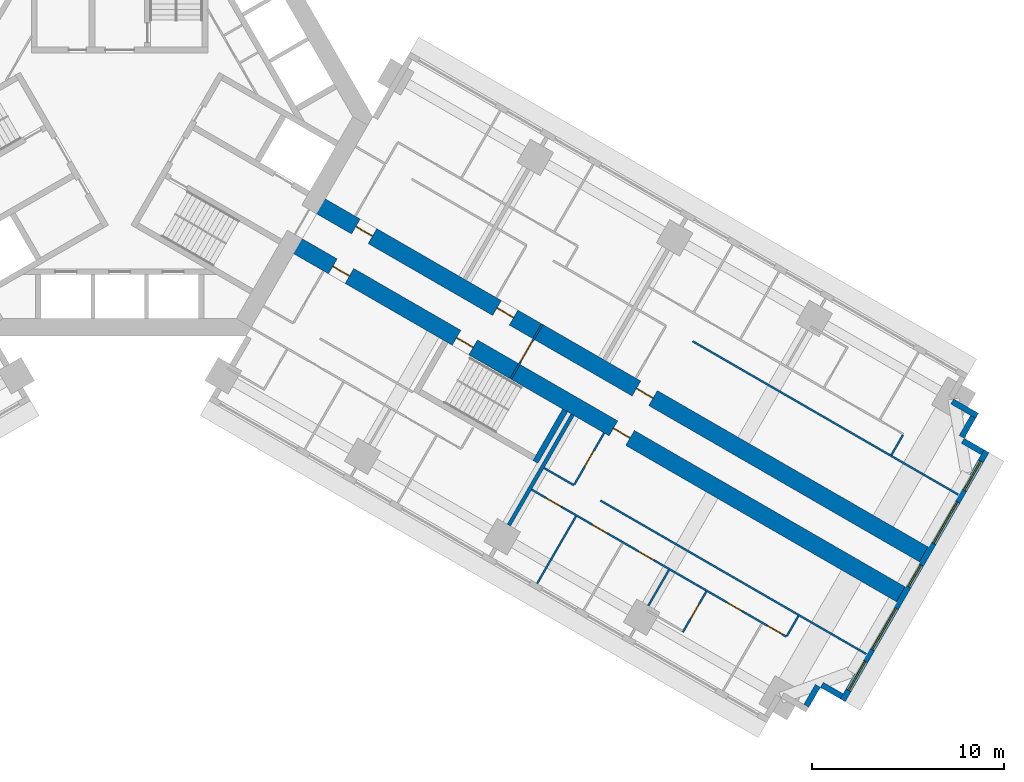
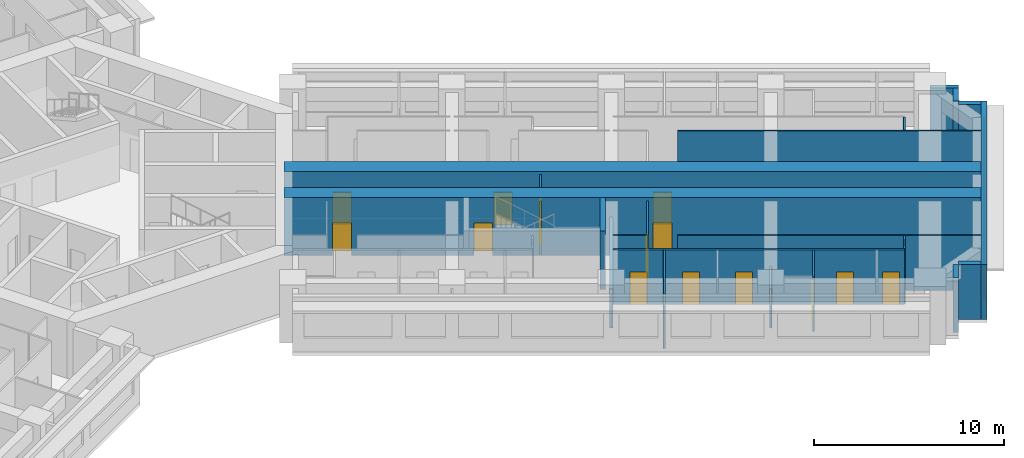
# One storey, part 11 of 15: 21 walls, 14 doors, 5 windows, 19 openings.
"""IFC4 building model written with IfcOpenShell, lengths in metres."""

import ifcopenshell
import ifcopenshell.guid

model = None  # the IFC model being written
_history = None  # IfcOwnerHistory: only IFC2X3 demands one
_inside = {}  # id of a spatial element -> (the spatial element, [elements in it])
_under = {}  # id of a project, library or spatial element -> (it, [spatial elements below it])
_declared = {}  # id of a project -> (the project, [libraries it declares])
_typed = {}  # id of a type object -> (the type object, [elements of that type])
_made_of = {}  # id of a material, layer set ... -> (it, [elements and type objects made of it])


def new_model(schema):
    """Start an empty IFC model of exactly this schema.

    Asked for "IFC4X3", IfcOpenShell would pick the latest addendum, in which some entities
    have other attributes; the version numbers below select the first issue.
    IFC2X3 requires an IfcOwnerHistory on every rooted entity: one is made here for all.
    """
    global model, _history
    if schema == "IFC4X3":
        model = ifcopenshell.file(schema_version=(4, 3, 0, 0))
    else:
        model = ifcopenshell.file(schema=schema)
    _inside.clear()
    _under.clear()
    _declared.clear()
    _typed.clear()
    _made_of.clear()
    _history = None
    if model.schema == "IFC2X3":
        org = make("IfcOrganization", Name="unknown")
        user = make(
            "IfcPersonAndOrganization",
            ThePerson=make("IfcPerson", FamilyName="unknown"),
            TheOrganization=org,
        )
        app = make(
            "IfcApplication",
            ApplicationDeveloper=org,
            Version="unknown",
            ApplicationFullName="unknown",
            ApplicationIdentifier="unknown",
        )
        _history = make(
            "IfcOwnerHistory",
            OwningUser=user,
            OwningApplication=app,
            ChangeAction="ADDED",
            CreationDate=0,
        )
    return model


def make(cls, **values):
    """One entity of the class cls with the attributes given. An attribute that is None is left unset."""
    return model.create_entity(
        cls, **{name: value for name, value in values.items() if value is not None}
    )


def rooted(cls, **values):
    """An entity with a GlobalId (a new one), such as an element, a storey or a relation."""
    return make(cls, GlobalId=ifcopenshell.guid.new(), OwnerHistory=_history, **values)


def si_unit(unit_type, name, prefix=None):
    """IfcSIUnit, for example si_unit("LENGTHUNIT", "METRE", prefix="MILLI")."""
    return make("IfcSIUnit", UnitType=unit_type, Prefix=prefix, Name=name)


def assignment(units):
    """IfcUnitAssignment: the units of a project."""
    return None if units is None else make("IfcUnitAssignment", Units=units)


def point(xyz):
    """IfcCartesianPoint."""
    return None if xyz is None else make("IfcCartesianPoint", Coordinates=xyz)


def direction(xyz):
    """IfcDirection."""
    return None if xyz is None else make("IfcDirection", DirectionRatios=xyz)


def frame(location, z_axis=None, x_axis=None):
    """IfcAxis2Placement3D, a coordinate frame: its origin and axes. An axis left out is left unset."""
    return make(
        "IfcAxis2Placement3D",
        Location=point(location),
        Axis=direction(z_axis),
        RefDirection=direction(x_axis),
    )


def frame_2d(location, x_axis=None):
    """IfcAxis2Placement2D, a coordinate frame in the plane: its origin and x axis."""
    return make(
        "IfcAxis2Placement2D", Location=point(location), RefDirection=direction(x_axis)
    )


def origin():
    """The frame at (0, 0, 0) with its axes left unset."""
    return frame((0.0, 0.0, 0.0))


def place(relative_to, where):
    """IfcLocalPlacement: puts the frame where relative to a parent placement (None: the world)."""
    return make(
        "IfcLocalPlacement", PlacementRelTo=relative_to, RelativePlacement=where
    )


def context(
    kind, dimensions, precision=None, world=None, true_north=None, identifier=None
):
    """IfcGeometricRepresentationContext, for example the 3D "Model" context."""
    return make(
        "IfcGeometricRepresentationContext",
        ContextIdentifier=identifier,
        ContextType=kind,
        CoordinateSpaceDimension=dimensions,
        Precision=precision,
        WorldCoordinateSystem=world,
        TrueNorth=true_north,
    )


def subcontext(parent, identifier, kind, view, scale=None):
    """IfcGeometricRepresentationSubContext, for example "Body" below "Model"."""
    return make(
        "IfcGeometricRepresentationSubContext",
        ContextIdentifier=identifier,
        ContextType=kind,
        ParentContext=parent,
        TargetScale=scale,
        TargetView=view,
    )


def project(units=None, contexts=None):
    """IfcProject with its units and contexts."""
    return rooted(
        "IfcProject",
        Name="project",
        RepresentationContexts=contexts,
        UnitsInContext=assignment(units),
    )


def spatial(cls, under=None, at=None, **own):
    """A site, building, storey or space (cls), placed at a placement, below another one or the project."""
    s = rooted(cls, ObjectPlacement=at, **own)
    if under is not None:
        _under.setdefault(under.id(), (under, []))[1].append(s)
    return s


def profile(cls, at=None, kind="AREA", **sizes):
    """A parametric profile (cls). Its sizes go by their IFC names, for example OverallWidth=200.0."""
    return make(cls, ProfileType=kind, Position=at, **sizes)


def rectangle(**sizes):
    """IfcRectangleProfileDef."""
    return profile("IfcRectangleProfileDef", **sizes)


def extrude(swept, where, along, depth):
    """IfcExtrudedAreaSolid: the profile swept, set in the frame where, extruded along a direction by depth."""
    return make(
        "IfcExtrudedAreaSolid",
        SweptArea=swept,
        Position=where,
        ExtrudedDirection=direction(along),
        Depth=depth,
    )


def shape(context_of_items, identifier, shape_type, items):
    """IfcShapeRepresentation: the items that make up one representation, for example the "Body"."""
    return make(
        "IfcShapeRepresentation",
        ContextOfItems=context_of_items,
        RepresentationIdentifier=identifier,
        RepresentationType=shape_type,
        Items=items,
    )


def material(Name=None, Category=None):
    """IfcMaterial."""
    return make("IfcMaterial", Name=Name, Category=Category)


def layer(
    of_material, thickness, ventilated=None, Name=None, Category=None, Priority=None
):
    """IfcMaterialLayer: one layer of a wall or slab, of a material (None: an air gap)."""
    return make(
        "IfcMaterialLayer",
        Material=of_material,
        LayerThickness=thickness,
        IsVentilated=ventilated,
        Name=Name,
        Category=Category,
        Priority=Priority,
    )


def layer_set(layers, Name=None):
    """IfcMaterialLayerSet."""
    return make("IfcMaterialLayerSet", MaterialLayers=layers, LayerSetName=Name)


def made_of(thing, what):
    """Note that an element or type object is made of a material, layer set ...; save() writes the relation."""
    if what is not None:
        _made_of.setdefault(what.id(), (what, []))[1].append(thing)
    return thing


def type_object(cls, material=None, **own):
    """A type object (cls), such as IfcWallType, which elements share."""
    return made_of(rooted(cls, **own), material)


def element(
    cls,
    number,
    at=None,
    inside=None,
    cuts=None,
    type_object=None,
    material=None,
    context=None,
    identifier="Body",
    shape_type=None,
    held_by="IfcProductDefinitionShape",
    body=None,
    shapes=None,
    **own,
):
    """One element of the class cls, such as IfcWall. Its Tag is "e" and its number.

    at: its placement. inside: the storey or other place that contains it. cuts: it is an
    opening in that element (IfcRelVoidsElement). A single representation is given by context,
    identifier, shape_type and body (its items); several are given by shapes. held_by: the class
    of the entity that holds the representations. save() writes the other relations.
    """
    e = rooted(cls, Tag="e%d" % number, ObjectPlacement=at, **own)
    if body is not None:
        shapes = [shape(context, identifier, shape_type, body)]
    if shapes is not None:
        e.Representation = make(held_by, Representations=shapes)
    if inside is not None:
        _inside.setdefault(inside.id(), (inside, []))[1].append(e)
    if cuts is not None:
        rooted(
            "IfcRelVoidsElement", RelatingBuildingElement=cuts, RelatedOpeningElement=e
        )
    if type_object is not None:
        _typed.setdefault(type_object.id(), (type_object, []))[1].append(e)
    return made_of(e, material)


def fill(opening, filler):
    """IfcRelFillsElement: the door or window that sits in an opening."""
    return rooted(
        "IfcRelFillsElement",
        RelatingOpeningElement=opening,
        RelatedBuildingElement=filler,
    )


def aggregate(whole, parts):
    """IfcRelAggregates: a whole, such as a stair, and the parts it consists of."""
    return rooted("IfcRelAggregates", RelatingObject=whole, RelatedObjects=parts)


def save(model, path):
    """Write the relations noted so far, then the file.

    IfcRelAggregates (storeys below a building ...), IfcRelContainedInSpatialStructure (elements
    in a storey), IfcRelDefinesByType, IfcRelAssociatesMaterial and IfcRelDeclares: one each for
    every whole, place, type object, material and project.
    """
    for whole, parts in _under.values():
        aggregate(whole, parts)
    for where, things in _inside.values():
        rooted(
            "IfcRelContainedInSpatialStructure",
            RelatedElements=things,
            RelatingStructure=where,
        )
    for kind, things in _typed.values():
        rooted("IfcRelDefinesByType", RelatedObjects=things, RelatingType=kind)
    for what, things in _made_of.values():
        rooted("IfcRelAssociatesMaterial", RelatedObjects=things, RelatingMaterial=what)
    for by, libraries in _declared.values():
        rooted("IfcRelDeclares", RelatingContext=by, RelatedDefinitions=libraries)
    model.write(path)


model = new_model("IFC4")

# Units and contexts
model_context = context("Model", 3, precision=1e-05, world=origin(), true_north=direction((0.0, 1.0)))
body_context = subcontext(model_context, "Body", "Model", "MODEL_VIEW")
ifc_project = project(units=[si_unit("LENGTHUNIT", "METRE"), si_unit("AREAUNIT", "SQUARE_METRE"), si_unit("VOLUMEUNIT", "CUBIC_METRE"), si_unit("PLANEANGLEUNIT", "RADIAN"), si_unit("MASSUNIT", "GRAM", prefix="KILO")], contexts=[model_context])

# Site, building, storey
site_placement = place(None, origin())
site = spatial("IfcSite", under=ifc_project, at=site_placement, CompositionType="ELEMENT")
building_placement = place(site_placement, origin())
building = spatial("IfcBuilding", under=site, at=building_placement, Name="Impinga Residences", CompositionType="ELEMENT")
storey_placement = place(building_placement, frame((0.0, 0.0, 86.0)))
storey = spatial("IfcBuildingStorey", under=building, at=storey_placement, Name="L21", CompositionType="ELEMENT", Elevation=86.0)

# Wall, openings, doors
ifc_material_1 = material(Name="Concrete C70/85", Category="concrete")
ifc_layer_1 = layer(ifc_material_1, 0.89990234375)
ifc_layer_set_1 = layer_set([ifc_layer_1], Name="Concrete C70/85")
wall_type_1 = type_object("IfcWallType", Name="BW1 corridor buttress wall, L05 to L22 900", PredefinedType="SHEAR", material=ifc_layer_set_1)
wall_1_placement = place(storey_placement, frame((10.1103515625, -4.451416015625, 0.0), z_axis=(0.0, 0.0, 1.0), x_axis=(0.866025284237, -0.500000207062, 0.0)))
wall_1 = element("IfcWall", 1, at=wall_1_placement, inside=storey, type_object=wall_type_1, Name="Corridor wall BW1 EC L21", PredefinedType="SHEAR", context=body_context, shape_type="SweptSolid", body=[
    extrude(rectangle(XDim=36.75, YDim=0.89990234375, at=frame_2d((18.375, 0.0))), origin(), (0.0, 0.0, 1.0), 3.75),
])
opening_1_placement = place(wall_1_placement, frame((2.550048828125, 0.0, 0.0)))
opening_1 = element("IfcOpeningElement", 2, at=opening_1_placement, cuts=wall_1, Name="Opening D1", PredefinedType="OPENING", context=body_context, shape_type="SweptSolid", body=[
    extrude(rectangle(XDim=1.0, YDim=2.10009765625, at=frame_2d((0.5, 1.050048828125))), frame((0.0, 0.4599609375, 0.0), z_axis=(0.0, -1.0, 0.0), x_axis=(1.0, 0.0, 0.0)), (0.0, 0.0, 1.0), 0.919921875),
])
opening_2_placement = place(wall_1_placement, frame((11.050048828125, 0.0, 0.0)))
opening_2 = element("IfcOpeningElement", 3, at=opening_2_placement, cuts=wall_1, Name="Opening D1", PredefinedType="OPENING", context=body_context, shape_type="SweptSolid", body=[
    extrude(rectangle(XDim=1.0, YDim=2.10009765625, at=frame_2d((0.5, 1.050048828125))), frame((0.0, 0.4599609375, 0.0), z_axis=(0.0, -1.0, 0.0), x_axis=(1.0, 0.0, 0.0)), (0.0, 0.0, 1.0), 0.919921875),
])
opening_3_placement = place(wall_1_placement, frame((19.449951171875, 0.0, 0.0)))
opening_3 = element("IfcOpeningElement", 4, at=opening_3_placement, cuts=wall_1, Name="Opening D1", PredefinedType="OPENING", context=body_context, shape_type="SweptSolid", body=[
    extrude(rectangle(XDim=1.0, YDim=2.10009765625, at=frame_2d((0.5, 1.050048828125))), frame((0.0, 0.4599609375, 0.0), z_axis=(0.0, -1.0, 0.0), x_axis=(1.0, 0.0, 0.0)), (0.0, 0.0, 1.0), 0.919921875),
])
ifc_material_2 = material(Name="Timber door set", Category="wood")
door_type_1 = type_object("IfcDoorType", Name="D1 apartment entrance door 1000x2100", OperationType="SINGLE_SWING_LEFT", PredefinedType="DOOR", material=ifc_material_2)
door_1_placement = place(opening_1_placement, origin())
door_1 = element("IfcDoor", 5, at=door_1_placement, inside=storey, type_object=door_type_1, Name="Apartment L21-EA1 entrance", OperationType="SINGLE_SWING_LEFT", OverallHeight=2.10009765625, OverallWidth=1.0, PredefinedType="DOOR", context=body_context, shape_type="SweptSolid", body=[
    extrude(rectangle(XDim=1.0, YDim=2.10009765625, at=frame_2d((0.5, 1.050048828125))), frame((0.0, 0.02490234375, 0.0), z_axis=(0.0, -1.0, 0.0), x_axis=(1.0, 0.0, 0.0)), (0.0, 0.0, 1.0), 0.050048828125),
])
fill(opening_1, door_1)
door_2_placement = place(opening_2_placement, origin())
door_2 = element("IfcDoor", 6, at=door_2_placement, inside=storey, type_object=door_type_1, Name="Apartment L21-EA2 entrance", OperationType="SINGLE_SWING_LEFT", OverallHeight=2.10009765625, OverallWidth=1.0, PredefinedType="DOOR", context=body_context, shape_type="SweptSolid", body=[
    extrude(rectangle(XDim=1.0, YDim=2.10009765625, at=frame_2d((0.5, 1.050048828125))), frame((0.0, 0.02490234375, 0.0), z_axis=(0.0, -1.0, 0.0), x_axis=(1.0, 0.0, 0.0)), (0.0, 0.0, 1.0), 0.050048828125),
])
fill(opening_2, door_2)
door_3_placement = place(opening_3_placement, origin())
door_3 = element("IfcDoor", 7, at=door_3_placement, inside=storey, type_object=door_type_1, Name="Apartment L21-EA3 entrance", OperationType="SINGLE_SWING_RIGHT", OverallHeight=2.10009765625, OverallWidth=1.0, PredefinedType="DOOR", context=body_context, shape_type="SweptSolid", body=[
    extrude(rectangle(XDim=1.0, YDim=2.10009765625, at=frame_2d((0.5, 1.050048828125))), frame((0.0, 0.02490234375, 0.0), z_axis=(0.0, -1.0, 0.0), x_axis=(1.0, 0.0, 0.0)), (0.0, 0.0, 1.0), 0.050048828125),
])
fill(opening_3, door_3)

wall_2_placement = place(storey_placement, frame((8.910400390625, -6.530029296875, 0.0), z_axis=(0.0, 0.0, 1.0), x_axis=(0.866025284237, -0.500000207062, 0.0)))
wall_2 = element("IfcWall", 8, at=wall_2_placement, inside=storey, type_object=wall_type_1, Name="Corridor wall BW1 ED L21", PredefinedType="SHEAR", context=body_context, shape_type="SweptSolid", body=[
    extrude(rectangle(XDim=36.75, YDim=0.89990234375, at=frame_2d((18.375, 0.0))), origin(), (0.0, 0.0, 1.0), 3.75),
])
opening_4_placement = place(wall_2_placement, frame((10.0, 0.0, 0.0)))
opening_4 = element("IfcOpeningElement", 9, at=opening_4_placement, cuts=wall_2, Name="Opening D5", PredefinedType="OPENING", context=body_context, shape_type="SweptSolid", body=[
    extrude(rectangle(XDim=1.0, YDim=2.10009765625, at=frame_2d((0.5, 1.050048828125))), frame((0.0, 0.4599609375, 0.0), z_axis=(0.0, -1.0, 0.0), x_axis=(1.0, 0.0, 0.0)), (0.0, 0.0, 1.0), 0.919921875),
])
opening_5_placement = place(wall_2_placement, frame((2.550048828125, 0.0, 0.0)))
opening_5 = element("IfcOpeningElement", 10, at=opening_5_placement, cuts=wall_2, Name="Opening D1", PredefinedType="OPENING", context=body_context, shape_type="SweptSolid", body=[
    extrude(rectangle(XDim=1.0, YDim=2.10009765625, at=frame_2d((0.5, 1.050048828125))), frame((0.0, 0.4599609375, 0.0), z_axis=(0.0, -1.0, 0.0), x_axis=(1.0, 0.0, 0.0)), (0.0, 0.0, 1.0), 0.919921875),
])
opening_6_placement = place(wall_2_placement, frame((19.449951171875, 0.0, 0.0)))
opening_6 = element("IfcOpeningElement", 11, at=opening_6_placement, cuts=wall_2, Name="Opening D1", PredefinedType="OPENING", context=body_context, shape_type="SweptSolid", body=[
    extrude(rectangle(XDim=1.0, YDim=2.10009765625, at=frame_2d((0.5, 1.050048828125))), frame((0.0, 0.4599609375, 0.0), z_axis=(0.0, -1.0, 0.0), x_axis=(1.0, 0.0, 0.0)), (0.0, 0.0, 1.0), 0.919921875),
])
door_4_placement = place(opening_5_placement, origin())
door_4 = element("IfcDoor", 12, at=door_4_placement, inside=storey, type_object=door_type_1, Name="Apartment L21-EF1 entrance", OperationType="SINGLE_SWING_LEFT", OverallHeight=2.10009765625, OverallWidth=1.0, PredefinedType="DOOR", context=body_context, shape_type="SweptSolid", body=[
    extrude(rectangle(XDim=1.0, YDim=2.10009765625, at=frame_2d((0.5, 1.050048828125))), frame((0.0, 0.02490234375, 0.0), z_axis=(0.0, -1.0, 0.0), x_axis=(1.0, 0.0, 0.0)), (0.0, 0.0, 1.0), 0.050048828125),
])
fill(opening_5, door_4)
door_5_placement = place(opening_6_placement, origin())
door_5 = element("IfcDoor", 13, at=door_5_placement, inside=storey, type_object=door_type_1, Name="Apartment L21-EF2 entrance", OperationType="SINGLE_SWING_RIGHT", OverallHeight=2.10009765625, OverallWidth=1.0, PredefinedType="DOOR", context=body_context, shape_type="SweptSolid", body=[
    extrude(rectangle(XDim=1.0, YDim=2.10009765625, at=frame_2d((0.5, 1.050048828125))), frame((0.0, 0.02490234375, 0.0), z_axis=(0.0, -1.0, 0.0), x_axis=(1.0, 0.0, 0.0)), (0.0, 0.0, 1.0), 0.050048828125),
])
fill(opening_6, door_5)
door_type_2 = type_object("IfcDoorType", Name="D5 stair door 1000x2100", OperationType="SINGLE_SWING_LEFT", PredefinedType="DOOR", material=ifc_material_2)
door_6_placement = place(opening_4_placement, origin())
door_6 = element("IfcDoor", 14, at=door_6_placement, inside=storey, type_object=door_type_2, Name="Wing stair door E", OperationType="SINGLE_SWING_LEFT", OverallHeight=2.10009765625, OverallWidth=1.0, PredefinedType="DOOR", context=body_context, shape_type="SweptSolid", body=[
    extrude(rectangle(XDim=1.0, YDim=2.10009765625, at=frame_2d((0.5, 1.050048828125))), frame((0.0, 0.02490234375, 0.0), z_axis=(0.0, -1.0, 0.0), x_axis=(1.0, 0.0, 0.0)), (0.0, 0.0, 1.0), 0.050048828125),
])
fill(opening_4, door_6)

# Wall, opening, door
ifc_material_3 = material(Name="Concrete blockwork", Category="masonry")
ifc_layer_2 = layer(ifc_material_3, 0.10009765625)
ifc_layer_set_2 = layer_set([ifc_layer_2], Name="CP1 core room partition, blockwork 100")
wall_type_2 = type_object("IfcWallType", Name="CP1 core room partition, blockwork 100", PredefinedType="PARTITIONING", material=ifc_layer_set_2)
wall_3_placement = place(storey_placement, frame((22.042724609375, -10.821044921875, 0.0), z_axis=(0.0, 0.0, 1.0), x_axis=(-0.50002983664, -0.866008176907, 0.0)))
wall_3 = element("IfcWall", 15, at=wall_3_placement, inside=storey, type_object=wall_type_2, Name="Core room partition, blockwork L21:E:SCR", PredefinedType="PARTITIONING", context=body_context, shape_type="SweptSolid", body=[
    extrude(rectangle(XDim=3.300048828125, YDim=0.10009765625, at=frame_2d((1.64990234375, 0.0))), origin(), (0.0, 0.0, 1.0), 3.530029296875),
])
opening_7_placement = place(wall_3_placement, frame((1.050048828125, 0.0, 0.0)))
opening_7 = element("IfcOpeningElement", 16, at=opening_7_placement, cuts=wall_3, Name="Opening D3", PredefinedType="OPENING", context=body_context, shape_type="SweptSolid", body=[
    extrude(rectangle(XDim=1.199951171875, YDim=2.10009765625, at=frame_2d((0.60009765625, 1.050048828125))), frame((0.0, 0.06005859375, 0.0), z_axis=(0.0, -1.0, 0.0), x_axis=(1.0, 0.0, 0.0)), (0.0, 0.0, 1.0), 0.1201171875),
])
door_type_3 = type_object("IfcDoorType", Name="D3 room door, leaf and a half 1200x2100", OperationType="DOUBLE_SWING_LEFT", PredefinedType="DOOR", material=ifc_material_2)
door_7_placement = place(opening_7_placement, origin())
door_7 = element("IfcDoor", 17, at=door_7_placement, inside=storey, type_object=door_type_3, Name="Corridor smoke door E", OperationType="DOUBLE_SWING_LEFT", OverallHeight=2.10009765625, OverallWidth=1.199951171875, PredefinedType="DOOR", context=body_context, shape_type="SweptSolid", body=[
    extrude(rectangle(XDim=1.199951171875, YDim=2.10009765625, at=frame_2d((0.60009765625, 1.050048828125))), frame((0.0, 0.02490234375, 0.0), z_axis=(0.0, -1.0, 0.0), x_axis=(1.0, 0.0, 0.0)), (0.0, 0.0, 1.0), 0.050048828125),
])
fill(opening_7, door_7)

# Walls
ifc_material_4 = material(Name="Terracotta rainscreen on blockwork", Category="masonry")
ifc_layer_3 = layer(ifc_material_4, 0.300048828125)
ifc_layer_set_3 = layer_set([ifc_layer_3], Name="EW1 external wall, terracotta rainscreen on blockwork 300")
wall_type_3 = type_object("IfcWallType", Name="EW1 external wall, terracotta rainscreen on blockwork 300", PredefinedType="SOLIDWALL", material=ifc_layer_set_3)
wall_4_placement = place(storey_placement, frame((43.42333984375, -14.8515625, 0.0), z_axis=(0.0, 0.0, 1.0), x_axis=(0.866031096941, -0.499990139034, 0.0)))
element("IfcWall", 18, at=wall_4_placement, inside=storey, type_object=wall_type_3, Name="External wall EW1 L21", PredefinedType="SOLIDWALL", context=body_context, shape_type="SweptSolid", body=[
    extrude(rectangle(XDim=1.5, YDim=0.300048828125, at=frame_2d((0.75, 0.0))), origin(), (0.0, 0.0, 1.0), 3.530029296875),
])
wall_5_placement = place(storey_placement, frame((44.517578125, -15.65625, 0.0), z_axis=(0.0, 0.0, 1.0), x_axis=(-0.500033551112, -0.866006032174, 0.0)))
element("IfcWall", 19, at=wall_5_placement, inside=storey, type_object=wall_type_3, Name="External wall EW1 L21", PredefinedType="SOLIDWALL", context=body_context, shape_type="SweptSolid", body=[
    extrude(rectangle(XDim=1.2001953125, YDim=0.300048828125, at=frame_2d((0.60009765625, 0.0))), origin(), (0.0, 0.0, 1.0), 3.530029296875),
])
wall_6_placement = place(storey_placement, frame((43.976806640625, -16.903076171875, 0.0), z_axis=(0.0, 0.0, 1.0), x_axis=(0.866059708757, -0.499940577336, 0.0)))
element("IfcWall", 20, at=wall_6_placement, inside=storey, type_object=wall_type_3, Name="External wall EW1 L21", PredefinedType="SOLIDWALL", context=body_context, shape_type="SweptSolid", body=[
    extrude(rectangle(XDim=1.195068359375, YDim=0.300048828125, at=frame_2d((0.59765625, 0.0))), origin(), (0.0, 0.0, 1.0), 3.530029296875),
])

# Wall, openings, windows
wall_7_placement = place(storey_placement, frame((45.216552734375, -17.445556640625, 0.0), z_axis=(0.0, 0.0, 1.0), x_axis=(-0.499997186618, -0.866027028085, 0.0)))
wall_7 = element("IfcWall", 21, at=wall_7_placement, inside=storey, type_object=wall_type_3, Name="External wall EW1 L21", PredefinedType="SOLIDWALL", context=body_context, shape_type="SweptSolid", body=[
    extrude(rectangle(XDim=15.0, YDim=0.300048828125, at=frame_2d((7.5, 0.0))), origin(), (0.0, 0.0, 1.0), 3.530029296875),
])
opening_8_placement = place(wall_7_placement, frame((0.60009765625, 0.0, 0.89990234375)))
opening_8 = element("IfcOpeningElement", 22, at=opening_8_placement, cuts=wall_7, Name="Opening W1", PredefinedType="OPENING", context=body_context, shape_type="SweptSolid", body=[
    extrude(rectangle(XDim=1.75, YDim=2.050048828125, at=frame_2d((0.875, 1.02490234375))), frame((0.0, 0.159912109375, 0.0), z_axis=(0.0, -1.0, 0.0), x_axis=(1.0, 0.0, 0.0)), (0.0, 0.0, 1.0), 0.320068359375),
])
opening_9_placement = place(wall_7_placement, frame((3.050048828125, 0.0, 0.89990234375)))
opening_9 = element("IfcOpeningElement", 23, at=opening_9_placement, cuts=wall_7, Name="Opening W2", PredefinedType="OPENING", context=body_context, shape_type="SweptSolid", body=[
    extrude(rectangle(XDim=2.5, YDim=2.050048828125, at=frame_2d((1.25, 1.02490234375))), frame((0.0, 0.159912109375, 0.0), z_axis=(0.0, -1.0, 0.0), x_axis=(1.0, 0.0, 0.0)), (0.0, 0.0, 1.0), 0.320068359375),
])
opening_10_placement = place(wall_7_placement, frame((6.85009765625, 0.0, 0.89990234375)))
opening_10 = element("IfcOpeningElement", 24, at=opening_10_placement, cuts=wall_7, Name="Opening WE1", PredefinedType="OPENING", context=body_context, shape_type="SweptSolid", body=[
    extrude(rectangle(XDim=1.300048828125, YDim=2.050048828125, at=frame_2d((0.64990234375, 1.02490234375))), frame((0.0, 0.159912109375, 0.0), z_axis=(0.0, -1.0, 0.0), x_axis=(1.0, 0.0, 0.0)), (0.0, 0.0, 1.0), 0.320068359375),
])
opening_11_placement = place(wall_7_placement, frame((9.449951171875, 0.0, 0.89990234375)))
opening_11 = element("IfcOpeningElement", 25, at=opening_11_placement, cuts=wall_7, Name="Opening W2", PredefinedType="OPENING", context=body_context, shape_type="SweptSolid", body=[
    extrude(rectangle(XDim=2.5, YDim=2.050048828125, at=frame_2d((1.25, 1.02490234375))), frame((0.0, 0.159912109375, 0.0), z_axis=(0.0, -1.0, 0.0), x_axis=(1.0, 0.0, 0.0)), (0.0, 0.0, 1.0), 0.320068359375),
])
opening_12_placement = place(wall_7_placement, frame((12.64990234375, 0.0, 0.89990234375)))
opening_12 = element("IfcOpeningElement", 26, at=opening_12_placement, cuts=wall_7, Name="Opening W1", PredefinedType="OPENING", context=body_context, shape_type="SweptSolid", body=[
    extrude(rectangle(XDim=1.75, YDim=2.050048828125, at=frame_2d((0.875, 1.02490234375))), frame((0.0, 0.159912109375, 0.0), z_axis=(0.0, -1.0, 0.0), x_axis=(1.0, 0.0, 0.0)), (0.0, 0.0, 1.0), 0.320068359375),
])
ifc_material_5 = material(Name="Aluminium window, clear double glazing", Category="aluminium")
window_type_1 = type_object("IfcWindowType", Name="W1 ribbon window 1750x2050", PartitioningType="SINGLE_PANEL", PredefinedType="WINDOW", material=ifc_material_5)
window_1_placement = place(opening_8_placement, origin())
window_1 = element("IfcWindow", 27, at=window_1_placement, inside=storey, type_object=window_type_1, Name="Window L21", OverallHeight=2.050048828125, OverallWidth=1.75, PartitioningType="SINGLE_PANEL", PredefinedType="WINDOW", context=body_context, shape_type="SweptSolid", body=[
    extrude(rectangle(XDim=1.75, YDim=2.050048828125, at=frame_2d((0.875, 1.02490234375))), frame((0.0, 0.030029296875, 0.0), z_axis=(0.0, -1.0, 0.0), x_axis=(1.0, 0.0, 0.0)), (0.0, 0.0, 1.0), 0.06005859375),
])
fill(opening_8, window_1)
window_2_placement = place(opening_12_placement, origin())
window_2 = element("IfcWindow", 28, at=window_2_placement, inside=storey, type_object=window_type_1, Name="Window L21", OverallHeight=2.050048828125, OverallWidth=1.75, PartitioningType="SINGLE_PANEL", PredefinedType="WINDOW", context=body_context, shape_type="SweptSolid", body=[
    extrude(rectangle(XDim=1.75, YDim=2.050048828125, at=frame_2d((0.875, 1.02490234375))), frame((0.0, 0.030029296875, 0.0), z_axis=(0.0, -1.0, 0.0), x_axis=(1.0, 0.0, 0.0)), (0.0, 0.0, 1.0), 0.06005859375),
])
fill(opening_12, window_2)
window_type_2 = type_object("IfcWindowType", Name="W2 ribbon window 2500x2050", PartitioningType="SINGLE_PANEL", PredefinedType="WINDOW", material=ifc_material_5)
window_3_placement = place(opening_9_placement, origin())
window_3 = element("IfcWindow", 29, at=window_3_placement, inside=storey, type_object=window_type_2, Name="Window L21", OverallHeight=2.050048828125, OverallWidth=2.5, PartitioningType="SINGLE_PANEL", PredefinedType="WINDOW", context=body_context, shape_type="SweptSolid", body=[
    extrude(rectangle(XDim=2.5, YDim=2.050048828125, at=frame_2d((1.25, 1.02490234375))), frame((0.0, 0.030029296875, 0.0), z_axis=(0.0, -1.0, 0.0), x_axis=(1.0, 0.0, 0.0)), (0.0, 0.0, 1.0), 0.06005859375),
])
fill(opening_9, window_3)
window_4_placement = place(opening_11_placement, origin())
window_4 = element("IfcWindow", 30, at=window_4_placement, inside=storey, type_object=window_type_2, Name="Window L21", OverallHeight=2.050048828125, OverallWidth=2.5, PartitioningType="SINGLE_PANEL", PredefinedType="WINDOW", context=body_context, shape_type="SweptSolid", body=[
    extrude(rectangle(XDim=2.5, YDim=2.050048828125, at=frame_2d((1.25, 1.02490234375))), frame((0.0, 0.030029296875, 0.0), z_axis=(0.0, -1.0, 0.0), x_axis=(1.0, 0.0, 0.0)), (0.0, 0.0, 1.0), 0.06005859375),
])
fill(opening_11, window_4)
window_type_3 = type_object("IfcWindowType", Name="WE1 corridor window 1300x2050", PartitioningType="SINGLE_PANEL", PredefinedType="WINDOW", material=ifc_material_5)
window_5_placement = place(opening_10_placement, origin())
window_5 = element("IfcWindow", 31, at=window_5_placement, inside=storey, type_object=window_type_3, Name="Window L21", OverallHeight=2.050048828125, OverallWidth=1.300048828125, PartitioningType="SINGLE_PANEL", PredefinedType="WINDOW", context=body_context, shape_type="SweptSolid", body=[
    extrude(rectangle(XDim=1.300048828125, YDim=2.050048828125, at=frame_2d((0.64990234375, 1.02490234375))), frame((0.0, 0.030029296875, 0.0), z_axis=(0.0, -1.0, 0.0), x_axis=(1.0, 0.0, 0.0)), (0.0, 0.0, 1.0), 0.06005859375),
])
fill(opening_10, window_5)

# Walls
wall_8_placement = place(storey_placement, frame((37.66162109375, -30.23095703125, 0.0), z_axis=(0.0, 0.0, 1.0), x_axis=(-0.866059708757, 0.499940577336, 0.0)))
element("IfcWall", 32, at=wall_8_placement, inside=storey, type_object=wall_type_3, Name="External wall EW1 L21", PredefinedType="SOLIDWALL", context=body_context, shape_type="SweptSolid", body=[
    extrude(rectangle(XDim=1.195068359375, YDim=0.300048828125, at=frame_2d((0.59765625, 0.0))), origin(), (0.0, 0.0, 1.0), 3.530029296875),
])
wall_9_placement = place(storey_placement, frame((36.41748046875, -29.68603515625, 0.0), z_axis=(0.0, 0.0, 1.0), x_axis=(-0.499969057507, -0.866043267704, 0.0)))
element("IfcWall", 33, at=wall_9_placement, inside=storey, type_object=wall_type_3, Name="External wall EW1 L21", PredefinedType="SOLIDWALL", context=body_context, shape_type="SweptSolid", body=[
    extrude(rectangle(XDim=1.19970703125, YDim=0.300048828125, at=frame_2d((0.599853515625, 0.0))), origin(), (0.0, 0.0, 1.0), 3.530029296875),
])
ifc_material_6 = material(Name="Gypsum board on steel studs", Category="steel")
ifc_layer_4 = layer(ifc_material_6, 0.10009765625)
ifc_layer_set_4 = layer_set([ifc_layer_4], Name="Gypsum board on steel studs")
wall_type_4 = type_object("IfcWallType", Name="IP1 partition 100", PredefinedType="PARTITIONING", material=ifc_layer_set_4)
wall_10_placement = place(storey_placement, frame((29.88037109375, -11.708740234375, 0.0), z_axis=(0.0, 0.0, 1.0), x_axis=(0.866026010844, -0.49999894854, 0.0)))
element("IfcWall", 34, at=wall_10_placement, inside=storey, type_object=wall_type_4, Name="Partition L21-EA3:DIV1", PredefinedType="PARTITIONING", context=body_context, shape_type="SweptSolid", body=[
    extrude(rectangle(XDim=16.0, YDim=0.10009765625, at=frame_2d((8.0, 0.0))), origin(), (0.0, 0.0, 1.0), 3.530029296875),
])
wall_11_placement = place(storey_placement, frame((40.25439453125, -17.640625, 0.0), z_axis=(0.0, 0.0, 1.0), x_axis=(0.499880961361, 0.866094119867, 0.0)))
element("IfcWall", 35, at=wall_11_placement, inside=storey, type_object=wall_type_4, Name="Partition L21-EA3:SE1", PredefinedType="PARTITIONING", context=body_context, shape_type="SweptSolid", body=[
    extrude(rectangle(XDim=1.199951171875, YDim=0.10009765625, at=frame_2d((0.60009765625, 0.0))), origin(), (0.0, 0.0, 1.0), 3.530029296875),
])
wall_12_placement = place(storey_placement, frame((22.1357421875, -18.32275390625, 0.0), z_axis=(0.0, 0.0, 1.0), x_axis=(0.866047807691, -0.499961193289, 0.0)))
element("IfcWall", 36, at=wall_12_placement, inside=storey, type_object=wall_type_4, Name="Partition L21-EF2:DIV0", PredefinedType="PARTITIONING", context=body_context, shape_type="SweptSolid", body=[
    extrude(rectangle(XDim=1.800048828125, YDim=0.10009765625, at=frame_2d((0.89990234375, 0.0))), origin(), (0.0, 0.0, 1.0), 3.530029296875),
])
wall_13_placement = place(storey_placement, frame((25.080322265625, -20.022705078125, 0.0), z_axis=(0.0, 0.0, 1.0), x_axis=(0.866026010844, -0.49999894854, 0.0)))
element("IfcWall", 37, at=wall_13_placement, inside=storey, type_object=wall_type_4, Name="Partition L21-EF2:DIV1", PredefinedType="PARTITIONING", context=body_context, shape_type="SweptSolid", body=[
    extrude(rectangle(XDim=16.0, YDim=0.10009765625, at=frame_2d((8.0, 0.0))), origin(), (0.0, 0.0, 1.0), 3.530029296875),
])

# Wall, openings, doors
wall_14_placement = place(storey_placement, frame((21.48583984375, -19.448486328125, 0.0), z_axis=(0.0, 0.0, 1.0), x_axis=(0.866023490266, -0.500003314297, 0.0)))
wall_14 = element("IfcWall", 38, at=wall_14_placement, inside=storey, type_object=wall_type_4, Name="Partition L21-EF2:STRIP", PredefinedType="PARTITIONING", context=body_context, shape_type="SweptSolid", body=[
    extrude(rectangle(XDim=15.35009765625, YDim=0.10009765625, at=frame_2d((7.675048828125, 0.0))), origin(), (0.0, 0.0, 1.0), 3.530029296875),
])
opening_13_placement = place(wall_14_placement, frame((0.875, 0.0, 0.0)))
opening_13 = element("IfcOpeningElement", 39, at=opening_13_placement, cuts=wall_14, Name="Opening D2", PredefinedType="OPENING", context=body_context, shape_type="SweptSolid", body=[
    extrude(rectangle(XDim=0.89990234375, YDim=2.10009765625, at=frame_2d((0.449951171875, 1.050048828125))), frame((0.0, 0.06005859375, 0.0), z_axis=(0.0, -1.0, 0.0), x_axis=(1.0, 0.0, 0.0)), (0.0, 0.0, 1.0), 0.1201171875),
])
opening_14_placement = place(wall_14_placement, frame((3.64990234375, 0.0, 0.0)))
opening_14 = element("IfcOpeningElement", 40, at=opening_14_placement, cuts=wall_14, Name="Opening D2", PredefinedType="OPENING", context=body_context, shape_type="SweptSolid", body=[
    extrude(rectangle(XDim=0.89990234375, YDim=2.10009765625, at=frame_2d((0.449951171875, 1.050048828125))), frame((0.0, 0.06005859375, 0.0), z_axis=(0.0, -1.0, 0.0), x_axis=(1.0, 0.0, 0.0)), (0.0, 0.0, 1.0), 0.1201171875),
])
opening_15_placement = place(wall_14_placement, frame((6.449951171875, 0.0, 0.0)))
opening_15 = element("IfcOpeningElement", 41, at=opening_15_placement, cuts=wall_14, Name="Opening D2", PredefinedType="OPENING", context=body_context, shape_type="SweptSolid", body=[
    extrude(rectangle(XDim=0.89990234375, YDim=2.10009765625, at=frame_2d((0.449951171875, 1.050048828125))), frame((0.0, 0.06005859375, 0.0), z_axis=(0.0, -1.0, 0.0), x_axis=(1.0, 0.0, 0.0)), (0.0, 0.0, 1.0), 0.1201171875),
])
opening_16_placement = place(wall_14_placement, frame((11.77490234375, 0.0, 0.0)))
opening_16 = element("IfcOpeningElement", 42, at=opening_16_placement, cuts=wall_14, Name="Opening D2", PredefinedType="OPENING", context=body_context, shape_type="SweptSolid", body=[
    extrude(rectangle(XDim=0.89990234375, YDim=2.10009765625, at=frame_2d((0.449951171875, 1.050048828125))), frame((0.0, 0.06005859375, 0.0), z_axis=(0.0, -1.0, 0.0), x_axis=(1.0, 0.0, 0.0)), (0.0, 0.0, 1.0), 0.1201171875),
])
opening_17_placement = place(wall_14_placement, frame((14.199951171875, 0.0, 0.0)))
opening_17 = element("IfcOpeningElement", 43, at=opening_17_placement, cuts=wall_14, Name="Opening D2", PredefinedType="OPENING", context=body_context, shape_type="SweptSolid", body=[
    extrude(rectangle(XDim=0.89990234375, YDim=2.10009765625, at=frame_2d((0.449951171875, 1.050048828125))), frame((0.0, 0.06005859375, 0.0), z_axis=(0.0, -1.0, 0.0), x_axis=(1.0, 0.0, 0.0)), (0.0, 0.0, 1.0), 0.1201171875),
])
door_type_4 = type_object("IfcDoorType", Name="D2 internal door 900x2100", OperationType="SINGLE_SWING_LEFT", PredefinedType="DOOR", material=ifc_material_2)
door_8_placement = place(opening_13_placement, origin())
door_8 = element("IfcDoor", 44, at=door_8_placement, inside=storey, type_object=door_type_4, Name="Apartment L21-EF2 room door", OperationType="SINGLE_SWING_LEFT", OverallHeight=2.10009765625, OverallWidth=0.89990234375, PredefinedType="DOOR", context=body_context, shape_type="SweptSolid", body=[
    extrude(rectangle(XDim=0.89990234375, YDim=2.10009765625, at=frame_2d((0.449951171875, 1.050048828125))), frame((0.0, 0.02490234375, 0.0), z_axis=(0.0, -1.0, 0.0), x_axis=(1.0, 0.0, 0.0)), (0.0, 0.0, 1.0), 0.050048828125),
])
fill(opening_13, door_8)
door_9_placement = place(opening_14_placement, origin())
door_9 = element("IfcDoor", 45, at=door_9_placement, inside=storey, type_object=door_type_4, Name="Apartment L21-EF2 room door", OperationType="SINGLE_SWING_LEFT", OverallHeight=2.10009765625, OverallWidth=0.89990234375, PredefinedType="DOOR", context=body_context, shape_type="SweptSolid", body=[
    extrude(rectangle(XDim=0.89990234375, YDim=2.10009765625, at=frame_2d((0.449951171875, 1.050048828125))), frame((0.0, 0.02490234375, 0.0), z_axis=(0.0, -1.0, 0.0), x_axis=(1.0, 0.0, 0.0)), (0.0, 0.0, 1.0), 0.050048828125),
])
fill(opening_14, door_9)
door_10_placement = place(opening_15_placement, origin())
door_10 = element("IfcDoor", 46, at=door_10_placement, inside=storey, type_object=door_type_4, Name="Apartment L21-EF2 room door", OperationType="SINGLE_SWING_LEFT", OverallHeight=2.10009765625, OverallWidth=0.89990234375, PredefinedType="DOOR", context=body_context, shape_type="SweptSolid", body=[
    extrude(rectangle(XDim=0.89990234375, YDim=2.10009765625, at=frame_2d((0.449951171875, 1.050048828125))), frame((0.0, 0.02490234375, 0.0), z_axis=(0.0, -1.0, 0.0), x_axis=(1.0, 0.0, 0.0)), (0.0, 0.0, 1.0), 0.050048828125),
])
fill(opening_15, door_10)
door_11_placement = place(opening_16_placement, origin())
door_11 = element("IfcDoor", 47, at=door_11_placement, inside=storey, type_object=door_type_4, Name="Apartment L21-EF2 room door", OperationType="SINGLE_SWING_RIGHT", OverallHeight=2.10009765625, OverallWidth=0.89990234375, PredefinedType="DOOR", context=body_context, shape_type="SweptSolid", body=[
    extrude(rectangle(XDim=0.89990234375, YDim=2.10009765625, at=frame_2d((0.449951171875, 1.050048828125))), frame((0.0, 0.02490234375, 0.0), z_axis=(0.0, -1.0, 0.0), x_axis=(1.0, 0.0, 0.0)), (0.0, 0.0, 1.0), 0.050048828125),
])
fill(opening_16, door_11)
door_12_placement = place(opening_17_placement, origin())
door_12 = element("IfcDoor", 48, at=door_12_placement, inside=storey, type_object=door_type_4, Name="Apartment L21-EF2 room door", OperationType="SINGLE_SWING_RIGHT", OverallHeight=2.10009765625, OverallWidth=0.89990234375, PredefinedType="DOOR", context=body_context, shape_type="SweptSolid", body=[
    extrude(rectangle(XDim=0.89990234375, YDim=2.10009765625, at=frame_2d((0.449951171875, 1.050048828125))), frame((0.0, 0.02490234375, 0.0), z_axis=(0.0, -1.0, 0.0), x_axis=(1.0, 0.0, 0.0)), (0.0, 0.0, 1.0), 0.050048828125),
])
fill(opening_17, door_12)

# Wall
wall_15_placement = place(storey_placement, frame((35.404296875, -26.041015625, 0.0), z_axis=(0.0, 0.0, 1.0), x_axis=(-0.500033551112, -0.866006032174, 0.0)))
element("IfcWall", 49, at=wall_15_placement, inside=storey, type_object=wall_type_4, Name="Partition L21-EF2:SE1", PredefinedType="PARTITIONING", context=body_context, shape_type="SweptSolid", body=[
    extrude(rectangle(XDim=1.2001953125, YDim=0.10009765625, at=frame_2d((0.60009765625, 0.0))), origin(), (0.0, 0.0, 1.0), 3.530029296875),
])

# Wall, opening, door
wall_16_placement = place(storey_placement, frame((25.269775390625, -16.49462890625, 0.0), z_axis=(0.0, 0.0, 1.0), x_axis=(-0.49999285859, -0.86602952684, 0.0)))
wall_16 = element("IfcWall", 50, at=wall_16_placement, inside=storey, type_object=wall_type_4, Name="Partition L21-EF2:IB1", PredefinedType="PARTITIONING", context=body_context, shape_type="SweptSolid", body=[
    extrude(rectangle(XDim=3.10009765625, YDim=0.10009765625, at=frame_2d((1.550048828125, 0.0))), origin(), (0.0, 0.0, 1.0), 3.530029296875),
])
opening_18_placement = place(wall_16_placement, frame((1.10009765625, 0.0, 0.0)))
opening_18 = element("IfcOpeningElement", 51, at=opening_18_placement, cuts=wall_16, Name="Opening D2", PredefinedType="OPENING", context=body_context, shape_type="SweptSolid", body=[
    extrude(rectangle(XDim=0.89990234375, YDim=2.10009765625, at=frame_2d((0.449951171875, 1.050048828125))), frame((0.0, 0.06005859375, 0.0), z_axis=(0.0, -1.0, 0.0), x_axis=(1.0, 0.0, 0.0)), (0.0, 0.0, 1.0), 0.1201171875),
])
door_13_placement = place(opening_18_placement, origin())
door_13 = element("IfcDoor", 52, at=door_13_placement, inside=storey, type_object=door_type_4, Name="Apartment L21-EF2 bathroom door", OperationType="SINGLE_SWING_LEFT", OverallHeight=2.10009765625, OverallWidth=0.89990234375, PredefinedType="DOOR", context=body_context, shape_type="SweptSolid", body=[
    extrude(rectangle(XDim=0.89990234375, YDim=2.10009765625, at=frame_2d((0.449951171875, 1.050048828125))), frame((0.0, 0.02490234375, 0.0), z_axis=(0.0, -1.0, 0.0), x_axis=(1.0, 0.0, 0.0)), (0.0, 0.0, 1.0), 0.050048828125),
])
fill(opening_18, door_13)

# Walls
wall_17_placement = place(storey_placement, frame((23.799072265625, -20.841796875, 0.0), z_axis=(0.0, 0.0, 1.0), x_axis=(-0.499990325971, -0.866030989016, 0.0)))
element("IfcWall", 53, at=wall_17_placement, inside=storey, type_object=wall_type_4, Name="Partition L21-EF2:OB1", PredefinedType="PARTITIONING", context=body_context, shape_type="SweptSolid", body=[
    extrude(rectangle(XDim=4.0498046875, YDim=0.10009765625, at=frame_2d((2.02490234375, 0.0))), origin(), (0.0, 0.0, 1.0), 3.530029296875),
])
wall_18_placement = place(storey_placement, frame((28.64892578125, -23.641845703125, 0.0), z_axis=(0.0, 0.0, 1.0), x_axis=(-0.500095966228, -0.865969990567, 0.0)))
element("IfcWall", 54, at=wall_18_placement, inside=storey, type_object=wall_type_4, Name="Partition L21-EF2:OB3", PredefinedType="PARTITIONING", context=body_context, shape_type="SweptSolid", body=[
    extrude(rectangle(XDim=2.14990234375, YDim=0.10009765625, at=frame_2d((1.074951171875, 0.0))), origin(), (0.0, 0.0, 1.0), 2.47998046875),
])

# Wall, opening, door
wall_19_placement = place(storey_placement, frame((30.597412109375, -24.766845703125, 0.0), z_axis=(0.0, 0.0, 1.0), x_axis=(-0.500018594424, -0.866014668023, 0.0)))
wall_19 = element("IfcWall", 55, at=wall_19_placement, inside=storey, type_object=wall_type_4, Name="Partition L21-EF2:EN1", PredefinedType="PARTITIONING", context=body_context, shape_type="SweptSolid", body=[
    extrude(rectangle(XDim=2.4501953125, YDim=0.10009765625, at=frame_2d((1.22509765625, 0.0))), origin(), (0.0, 0.0, 1.0), 3.530029296875),
])
opening_19_placement = place(wall_19_placement, frame((0.75, 0.0, 0.0)))
opening_19 = element("IfcOpeningElement", 56, at=opening_19_placement, cuts=wall_19, Name="Opening D2", PredefinedType="OPENING", context=body_context, shape_type="SweptSolid", body=[
    extrude(rectangle(XDim=0.89990234375, YDim=2.10009765625, at=frame_2d((0.449951171875, 1.050048828125))), frame((0.0, 0.06005859375, 0.0), z_axis=(0.0, -1.0, 0.0), x_axis=(1.0, 0.0, 0.0)), (0.0, 0.0, 1.0), 0.1201171875),
])
door_14_placement = place(opening_19_placement, origin())
door_14 = element("IfcDoor", 57, at=door_14_placement, inside=storey, type_object=door_type_4, Name="Apartment L21-EF2 en-suite door", OperationType="SINGLE_SWING_LEFT", OverallHeight=2.10009765625, OverallWidth=0.89990234375, PredefinedType="DOOR", context=body_context, shape_type="SweptSolid", body=[
    extrude(rectangle(XDim=0.89990234375, YDim=2.10009765625, at=frame_2d((0.449951171875, 1.050048828125))), frame((0.0, 0.02490234375, 0.0), z_axis=(0.0, -1.0, 0.0), x_axis=(1.0, 0.0, 0.0)), (0.0, 0.0, 1.0), 0.050048828125),
])
fill(opening_19, door_14)

# Walls
ifc_layer_5 = layer(ifc_material_3, 0.199951171875)
ifc_layer_set_5 = layer_set([ifc_layer_5], Name="PW1 party wall between apartments 200")
wall_type_5 = type_object("IfcWallType", Name="PW1 party wall between apartments 200", PredefinedType="SOLIDWALL", material=ifc_layer_set_5)
wall_20_placement = place(storey_placement, frame((23.624267578125, -15.544677734375, 0.0), z_axis=(0.0, 0.0, 1.0), x_axis=(-0.49999681972, -0.866027239912, 0.0)))
element("IfcWall", 58, at=wall_20_placement, inside=storey, type_object=wall_type_5, Name="Party wall between apartments L21-EF1:PARTY", PredefinedType="SOLIDWALL", context=body_context, shape_type="SweptSolid", body=[
    extrude(rectangle(XDim=6.64990234375, YDim=0.199951171875, at=frame_2d((3.324951171875, 0.0))), origin(), (0.0, 0.0, 1.0), 2.47998046875),
])
ifc_material_7 = material(Name="Concrete C60/75", Category="concrete")
ifc_layer_6 = layer(ifc_material_7, 0.300048828125)
ifc_layer_set_6 = layer_set([ifc_layer_6], Name="Concrete C60/75")
wall_type_6 = type_object("IfcWallType", Name="SE1 wing stair enclosure wall 300", PredefinedType="SOLIDWALL", material=ifc_layer_set_6)
wall_21_placement = place(storey_placement, frame((23.234619140625, -15.31982421875, 0.0), z_axis=(0.0, 0.0, 1.0), x_axis=(-0.500026960575, -0.86600983753, 0.0)))
element("IfcWall", 59, at=wall_21_placement, inside=storey, type_object=wall_type_6, Name="Stair enclosure wall SE1 E END1 L21", PredefinedType="SOLIDWALL", context=body_context, shape_type="SweptSolid", body=[
    extrude(rectangle(XDim=3.099853515625, YDim=0.300048828125, at=frame_2d((1.5498046875, 0.0))), origin(), (0.0, 0.0, 1.0), 3.75),
])

save(model, "model.ifc")
